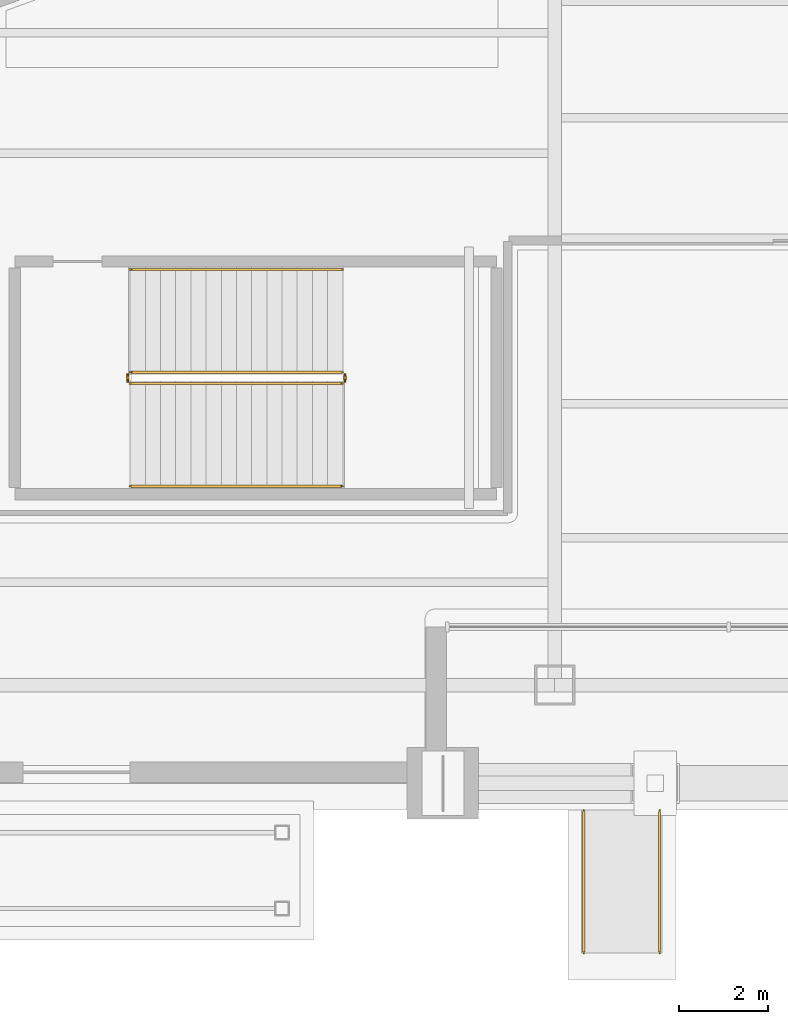
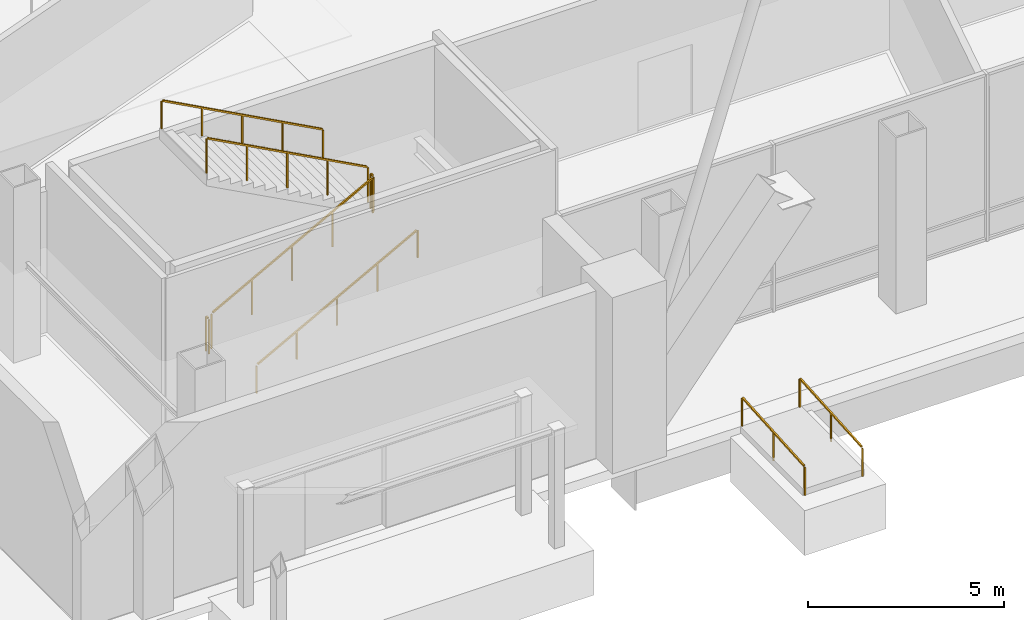
# One storey, part 20 of 27: 8 railings.
"""IFC4 building model written with IfcOpenShell, lengths in metres."""

from ifc_helpers import new_model, si_unit, direction, frame, origin, origin_2d, place, context, subcontext, project, spatial, rectangle, extrude, material, type_object, element, save


model = new_model("IFC4")

# Units and contexts
model_context = context("Model", 3, precision=1e-05, world=origin(), true_north=direction((0.0, 1.0)))
body_context = subcontext(model_context, "Body", "Model", "MODEL_VIEW")
ifc_project = project(units=[si_unit("LENGTHUNIT", "METRE"), si_unit("AREAUNIT", "SQUARE_METRE"), si_unit("VOLUMEUNIT", "CUBIC_METRE"), si_unit("PLANEANGLEUNIT", "RADIAN"), si_unit("MASSUNIT", "GRAM", prefix="KILO")], contexts=[model_context])

# Site, building, storey
site_placement = place(None, origin())
site = spatial("IfcSite", under=ifc_project, at=site_placement, CompositionType="ELEMENT")
building_placement = place(site_placement, origin())
building = spatial("IfcBuilding", under=site, at=building_placement, Name="Tharavind Bronze Gate", CompositionType="ELEMENT")
storey_placement = place(building_placement, origin())
storey = spatial("IfcBuildingStorey", under=building, at=storey_placement, Name="L00", CompositionType="ELEMENT", Elevation=0.0)

# Railings
ifc_material_1 = material(Name="Brushed Bronze Tube", Category="bronze")
railing_type_1 = type_object("IfcRailingType", Name="RAMP BRONZE HANDRAIL 920", PredefinedType="HANDRAIL", material=ifc_material_1)
for number, where, name in (
    (1, (-15.85009765625, -31.800048828125, -0.219970703125), "Accessible ramp 1 handrail A"),
    (2, (-14.14990234375, -31.800048828125, -0.219970703125), "Accessible ramp 1 handrail B"),
):
    element("IfcRailing", number, at=place(storey_placement, frame(where)), inside=storey, type_object=railing_type_1, Name=name, PredefinedType="HANDRAIL", context=body_context, shape_type="SweptSolid", body=[
        extrude(rectangle(XDim=0.048095703125, YDim=0.048095703125, at=origin_2d()), frame((0.0, 0.031982421875, 0.89794921875), z_axis=(0.0, 0.997645616887, 0.068580048891), x_axis=(-1.0, 0.0, 0.0)), (0.0, 0.0, 1.0), 3.1435546875),
        extrude(rectangle(XDim=0.0400390625, YDim=0.0400390625, at=origin_2d()), origin(), (0.0, 0.0, 1.0), 0.867919921875),
        extrude(rectangle(XDim=0.0400390625, YDim=0.0400390625, at=origin_2d()), frame((0.0, 1.60009765625, 0.10986328125)), (0.0, 0.0, 1.0), 0.867919921875),
        extrude(rectangle(XDim=0.0400390625, YDim=0.0400390625, at=origin_2d()), frame((0.0, 3.199951171875, 0.219970703125)), (0.0, 0.0, 1.0), 0.867919921875),
    ])
ifc_material_2 = material(Name="Brushed Bronze Alloy", Category="metal")
railing_type_2 = type_object("IfcRailingType", Name="STAIR BRONZE HANDRAIL 900", PredefinedType="HANDRAIL", material=ifc_material_2)
railing_1_placement = place(storey_placement, frame((-26.0, -21.35009765625, 0.183349609375)))
element("IfcRailing", 3, at=railing_1_placement, inside=storey, type_object=railing_type_2, Name="L00 ST3 stair handrail 1", PredefinedType="HANDRAIL", context=body_context, shape_type="SweptSolid", body=[
    extrude(rectangle(XDim=0.048095703125, YDim=0.048095703125, at=origin_2d()), frame((0.028076171875, 0.0, 0.89111328125), z_axis=(0.880195524343, 0.0, 0.474611250316), x_axis=(0.0, 1.0, 0.0)), (0.0, 0.0, 1.0), 5.343994140625),
    extrude(rectangle(XDim=0.0400390625, YDim=0.0400390625, at=origin_2d()), origin(), (0.0, 0.0, 1.0), 0.847900390625),
    extrude(rectangle(XDim=0.0400390625, YDim=0.0400390625, at=origin_2d()), frame((1.18994140625, 0.0, 0.6416015625)), (0.0, 0.0, 1.0), 0.847900390625),
    extrude(rectangle(XDim=0.0400390625, YDim=0.0400390625, at=origin_2d()), frame((2.3798828125, 0.0, 1.283203125)), (0.0, 0.0, 1.0), 0.847900390625),
    extrude(rectangle(XDim=0.0400390625, YDim=0.0400390625, at=origin_2d()), frame((3.570068359375, 0.0, 1.925048828125)), (0.0, 0.0, 1.0), 0.847900390625),
    extrude(rectangle(XDim=0.0400390625, YDim=0.0400390625, at=origin_2d()), frame((4.760009765625, 0.0, 2.566650390625)), (0.0, 0.0, 1.0), 0.847900390625),
])
railing_2_placement = place(storey_placement, frame((-21.239990234375, -16.5, 2.933349609375)))
element("IfcRailing", 4, at=railing_2_placement, inside=storey, type_object=railing_type_2, Name="L00 ST3 stair handrail 2", PredefinedType="HANDRAIL", context=body_context, shape_type="SweptSolid", body=[
    extrude(rectangle(XDim=0.048095703125, YDim=0.048095703125, at=origin_2d()), frame((-0.028076171875, 0.0, 0.89111328125), z_axis=(-0.880195524343, 0.0, 0.474611250316), x_axis=(0.0, -1.0, 0.0)), (0.0, 0.0, 1.0), 5.343994140625),
    extrude(rectangle(XDim=0.0400390625, YDim=0.0400390625, at=origin_2d()), origin(), (0.0, 0.0, 1.0), 0.847900390625),
    extrude(rectangle(XDim=0.0400390625, YDim=0.0400390625, at=origin_2d()), frame((-1.18994140625, 0.0, 0.6416015625)), (0.0, 0.0, 1.0), 0.847900390625),
    extrude(rectangle(XDim=0.0400390625, YDim=0.0400390625, at=origin_2d()), frame((-2.3798828125, 0.0, 1.283203125)), (0.0, 0.0, 1.0), 0.847900390625),
    extrude(rectangle(XDim=0.0400390625, YDim=0.0400390625, at=origin_2d()), frame((-3.570068359375, 0.0, 1.925048828125)), (0.0, 0.0, 1.0), 0.847900390625),
    extrude(rectangle(XDim=0.0400390625, YDim=0.0400390625, at=origin_2d()), frame((-4.760009765625, 0.0, 2.566650390625)), (0.0, 0.0, 1.0), 0.847900390625),
])
railing_type_3 = type_object("IfcRailingType", Name="STAIR WELL GUARD RAILING 1120", PredefinedType="GUARDRAIL", material=ifc_material_2)
railing_3_placement = place(storey_placement, frame((-26.0, -19.050048828125, 0.183349609375)))
element("IfcRailing", 5, at=railing_3_placement, inside=storey, type_object=railing_type_3, Name="L00 ST3 stair guard 1", PredefinedType="GUARDRAIL", context=body_context, shape_type="SweptSolid", body=[
    extrude(rectangle(XDim=0.048095703125, YDim=0.048095703125, at=origin_2d()), frame((0.028076171875, 0.0, 1.111328125), z_axis=(0.880195524343, 0.0, 0.474611250316), x_axis=(0.0, 1.0, 0.0)), (0.0, 0.0, 1.0), 5.343994140625),
    extrude(rectangle(XDim=0.0400390625, YDim=0.0400390625, at=origin_2d()), origin(), (0.0, 0.0, 1.0), 1.068115234375),
    extrude(rectangle(XDim=0.0400390625, YDim=0.0400390625, at=origin_2d()), frame((1.18994140625, 0.0, 0.6416015625)), (0.0, 0.0, 1.0), 1.068115234375),
    extrude(rectangle(XDim=0.0400390625, YDim=0.0400390625, at=origin_2d()), frame((2.3798828125, 0.0, 1.283203125)), (0.0, 0.0, 1.0), 1.068115234375),
    extrude(rectangle(XDim=0.0400390625, YDim=0.0400390625, at=origin_2d()), frame((3.570068359375, 0.0, 1.925048828125)), (0.0, 0.0, 1.0), 1.068115234375),
    extrude(rectangle(XDim=0.0400390625, YDim=0.0400390625, at=origin_2d()), frame((4.760009765625, 0.0, 2.566650390625)), (0.0, 0.0, 1.0), 1.068115234375),
])
railing_4_placement = place(storey_placement, frame((-21.18994140625, -19.0, 2.75)))
element("IfcRailing", 6, at=railing_4_placement, inside=storey, type_object=railing_type_3, Name="L00 ST3 stair guard 2", PredefinedType="GUARDRAIL", context=body_context, shape_type="SweptSolid", body=[
    extrude(rectangle(XDim=0.048095703125, YDim=0.048095703125, at=origin_2d()), frame((0.0, 0.031982421875, 1.09619140625), z_axis=(0.0, 1.0, 0.0), x_axis=(-1.0, 0.0, 0.0)), (0.0, 0.0, 1.0), 0.0859375),
    extrude(rectangle(XDim=0.0400390625, YDim=0.0400390625, at=origin_2d()), origin(), (0.0, 0.0, 1.0), 1.068115234375),
    extrude(rectangle(XDim=0.0400390625, YDim=0.0400390625, at=origin_2d()), frame((0.0, 0.14990234375, 0.0)), (0.0, 0.0, 1.0), 1.068115234375),
])
railing_5_placement = place(storey_placement, frame((-21.239990234375, -18.800048828125, 2.933349609375)))
element("IfcRailing", 7, at=railing_5_placement, inside=storey, type_object=railing_type_3, Name="L00 ST3 stair guard 3", PredefinedType="GUARDRAIL", context=body_context, shape_type="SweptSolid", body=[
    extrude(rectangle(XDim=0.048095703125, YDim=0.048095703125, at=origin_2d()), frame((-0.028076171875, 0.0, 1.111328125), z_axis=(-0.880195524343, 0.0, 0.474611250316), x_axis=(0.0, -1.0, 0.0)), (0.0, 0.0, 1.0), 5.343994140625),
    extrude(rectangle(XDim=0.0400390625, YDim=0.0400390625, at=origin_2d()), origin(), (0.0, 0.0, 1.0), 1.068115234375),
    extrude(rectangle(XDim=0.0400390625, YDim=0.0400390625, at=origin_2d()), frame((-1.18994140625, 0.0, 0.6416015625)), (0.0, 0.0, 1.0), 1.068115234375),
    extrude(rectangle(XDim=0.0400390625, YDim=0.0400390625, at=origin_2d()), frame((-2.3798828125, 0.0, 1.283203125)), (0.0, 0.0, 1.0), 1.068115234375),
    extrude(rectangle(XDim=0.0400390625, YDim=0.0400390625, at=origin_2d()), frame((-3.570068359375, 0.0, 1.925048828125)), (0.0, 0.0, 1.0), 1.068115234375),
    extrude(rectangle(XDim=0.0400390625, YDim=0.0400390625, at=origin_2d()), frame((-4.760009765625, 0.0, 2.566650390625)), (0.0, 0.0, 1.0), 1.068115234375),
])
railing_6_placement = place(storey_placement, frame((-26.050048828125, -19.0, 0.0)))
element("IfcRailing", 8, at=railing_6_placement, inside=storey, type_object=railing_type_3, Name="L00 ST3 stair guard 4", PredefinedType="GUARDRAIL", context=body_context, shape_type="SweptSolid", body=[
    extrude(rectangle(XDim=0.048095703125, YDim=0.048095703125, at=origin_2d()), frame((0.0, 0.031982421875, 1.09619140625), z_axis=(0.0, 1.0, 0.0), x_axis=(-1.0, 0.0, 0.0)), (0.0, 0.0, 1.0), 0.0859375),
    extrude(rectangle(XDim=0.0400390625, YDim=0.0400390625, at=origin_2d()), origin(), (0.0, 0.0, 1.0), 1.068115234375),
    extrude(rectangle(XDim=0.0400390625, YDim=0.0400390625, at=origin_2d()), frame((0.0, 0.14990234375, 0.0)), (0.0, 0.0, 1.0), 1.068115234375),
])

save(model, "model.ifc")
